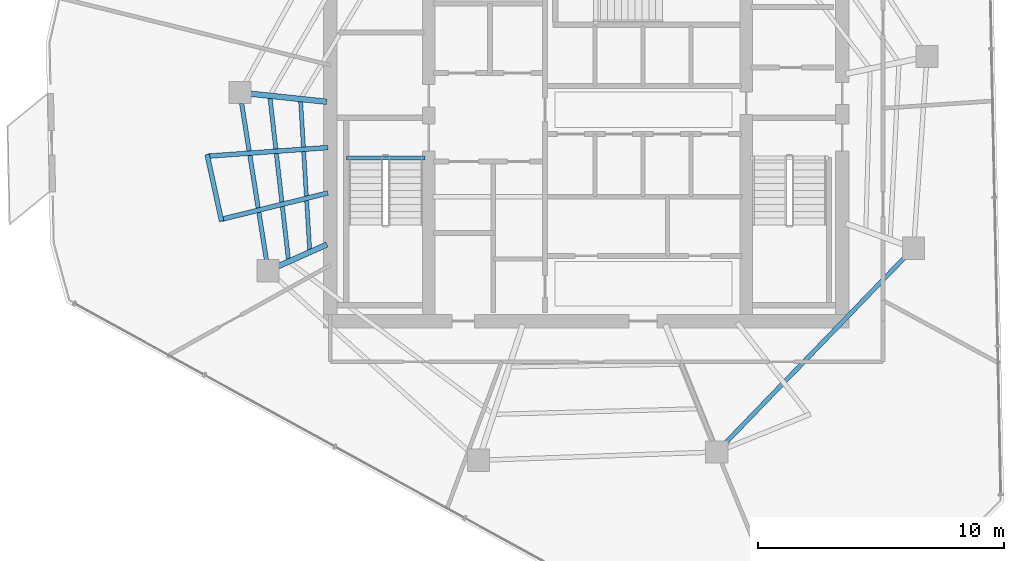
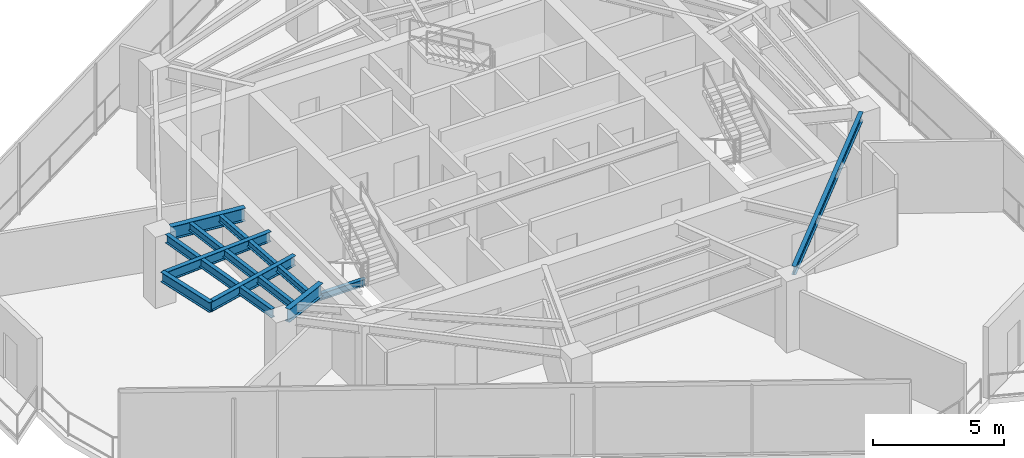
# One storey, part 4 of 19: 10 beams.
"""IFC4 building model written with IfcOpenShell, lengths in metres."""

from ifc_helpers import new_model, si_unit, direction, frame, origin, origin_2d, place, context, subcontext, project, spatial, i_section, extrude, material, material_profile, profile_set, type_object, element, save


model = new_model("IFC4")

# Units and contexts
model_context = context("Model", 3, precision=1e-05, world=origin(), true_north=direction((0.0, 1.0)))
body_context = subcontext(model_context, "Body", "Model", "MODEL_VIEW")
ifc_project = project(units=[si_unit("LENGTHUNIT", "METRE"), si_unit("AREAUNIT", "SQUARE_METRE"), si_unit("VOLUMEUNIT", "CUBIC_METRE"), si_unit("PLANEANGLEUNIT", "RADIAN"), si_unit("MASSUNIT", "GRAM", prefix="KILO")], contexts=[model_context])

# Site, building, storey
site_placement = place(None, origin())
site = spatial("IfcSite", under=ifc_project, at=site_placement, CompositionType="ELEMENT")
building_placement = place(site_placement, origin())
building = spatial("IfcBuilding", under=site, at=building_placement, Name="Qarnah Convention Tower", CompositionType="ELEMENT")
storey_placement = place(building_placement, frame((0.0, 0.0, 184.199951171875)))
storey = spatial("IfcBuildingStorey", under=building, at=storey_placement, Name="L49", CompositionType="ELEMENT", Elevation=184.199951171875)

# Beams
ifc_material = material(Name="Structural steel S355JR", Category="steel")
ifc_material_profile_1 = material_profile(ifc_material, i_section(OverallWidth=0.19189453125, OverallDepth=0.464111328125, WebThickness=0.010986328125, FlangeThickness=0.01806640625, at=origin_2d()), Name="W460X89")
ifc_profile_set_1 = profile_set([ifc_material_profile_1], Name="Structural steel S355JR")
beam_type_1 = type_object("IfcBeamType", Name="BM-CANT-W460A", PredefinedType="BEAM", material=ifc_profile_set_1)
beam_1_placement = place(storey_placement, frame((26.699951171875, 25.64794921875, 3.088134765625), z_axis=(-0.997436151804, -0.071562022574, 0.0), x_axis=(0.071562022574, -0.997436151804, 0.0)))
element("IfcBeam", 1, at=beam_1_placement, inside=storey, type_object=beam_type_1, Name="L49 beam BM-L49-CNT-02-1", PredefinedType="BEAM", context=body_context, shape_type="SweptSolid", body=[
    extrude(i_section(OverallWidth=0.19189453125, OverallDepth=0.464111328125, WebThickness=0.010986328125, FlangeThickness=0.01806640625, at=origin_2d()), origin(), (0.0, 0.0, 1.0), 4.90234375),
])
beam_2_placement = place(storey_placement, frame((26.702880859375, 23.802001953125, 3.088134765625), z_axis=(-0.970718465503, -0.240220025669, 0.0), x_axis=(0.240220025669, -0.970718465503, 0.0)))
element("IfcBeam", 2, at=beam_2_placement, inside=storey, type_object=beam_type_1, Name="L49 beam BM-L49-CNT-02-2", PredefinedType="BEAM", context=body_context, shape_type="SweptSolid", body=[
    extrude(i_section(OverallWidth=0.19189453125, OverallDepth=0.464111328125, WebThickness=0.010986328125, FlangeThickness=0.01806640625, at=origin_2d()), origin(), (0.0, 0.0, 1.0), 4.466796875),
])
beam_3_placement = place(storey_placement, frame((21.794921875, 25.364990234375, 3.088134765625), z_axis=(0.212191546233, -0.977228094002, 0.0), x_axis=(0.977228094002, 0.212191546233, 0.0)))
element("IfcBeam", 3, at=beam_3_placement, inside=storey, type_object=beam_type_1, Name="L49 spandrel BM-L49-CTIE-02", PredefinedType="SPANDREL", context=body_context, shape_type="SweptSolid", body=[
    extrude(i_section(OverallWidth=0.19189453125, OverallDepth=0.464111328125, WebThickness=0.010986328125, FlangeThickness=0.01806640625, at=origin_2d()), origin(), (0.0, 0.0, 1.0), 2.76708984375),
])
ifc_material_profile_2 = material_profile(ifc_material, i_section(OverallWidth=0.166015625, OverallDepth=0.31201171875, WebThickness=0.007080078125, FlangeThickness=0.010986328125, at=origin_2d()), Name="W310X45")
ifc_profile_set_2 = profile_set([ifc_material_profile_2], Name="Structural steel S355JR")
beam_type_2 = type_object("IfcBeamType", Name="BM-JST-W310", PredefinedType="JOIST", material=ifc_profile_set_2)
beam_4_placement = place(storey_placement, frame((27.4599609375, 25.217041015625, -0.156005859375), z_axis=(1.0, 0.0, 0.0), x_axis=(0.0, 1.0, 0.0)))
element("IfcBeam", 4, at=beam_4_placement, inside=storey, type_object=beam_type_2, Name="L49 stair landing trimmer beam BM-L49-ST1-TRM", PredefinedType="BEAM", context=body_context, shape_type="SweptSolid", body=[
    extrude(i_section(OverallWidth=0.166015625, OverallDepth=0.31201171875, WebThickness=0.007080078125, FlangeThickness=0.010986328125, at=origin_2d()), origin(), (0.0, 0.0, 1.0), 3.179931640625),
])
beam_5_placement = place(storey_placement, frame((25.593017578125, 27.530029296875, 3.1640625), z_axis=(0.060791013083, -0.998150516069, 0.0), x_axis=(0.998150516069, 0.060791013083, 0.0)))
element("IfcBeam", 5, at=beam_5_placement, inside=storey, type_object=beam_type_2, Name="L49 joist BM-L49-IJST-05", PredefinedType="JOIST", context=body_context, shape_type="SweptSolid", body=[
    extrude(i_section(OverallWidth=0.166015625, OverallDepth=0.31201171875, WebThickness=0.007080078125, FlangeThickness=0.010986328125, at=origin_2d()), origin(), (0.0, 0.0, 1.0), 6.05224609375),
])
ifc_material_profile_3 = material_profile(ifc_material, i_section(OverallWidth=0.172119140625, OverallDepth=0.35595703125, WebThickness=0.007080078125, FlangeThickness=0.011962890625, at=origin_2d()), Name="W360X51")
ifc_profile_set_3 = profile_set([ifc_material_profile_3], Name="Structural steel S355JR")
beam_type_3 = type_object("IfcBeamType", Name="BM-JST-W360", PredefinedType="JOIST", material=ifc_profile_set_3)
beam_6_placement = place(storey_placement, frame((24.35009765625, 27.6630859375, 3.14208984375), z_axis=(0.113147043355, -0.993578253878, 0.0), x_axis=(0.993578253878, 0.113147043355, 0.0)))
element("IfcBeam", 6, at=beam_6_placement, inside=storey, type_object=beam_type_3, Name="L49 joist BM-L49-SJST-05", PredefinedType="JOIST", context=body_context, shape_type="SweptSolid", body=[
    extrude(i_section(OverallWidth=0.172119140625, OverallDepth=0.35595703125, WebThickness=0.007080078125, FlangeThickness=0.011962890625, at=origin_2d()), origin(), (0.0, 0.0, 1.0), 6.6005859375),
])
ifc_material_profile_4 = material_profile(ifc_material, i_section(OverallWidth=0.22802734375, OverallDepth=0.60791015625, WebThickness=0.010986328125, FlangeThickness=0.01708984375, at=origin_2d()), Name="W610X113")
ifc_profile_set_4 = profile_set([ifc_material_profile_4], Name="Structural steel S355JR")
beam_type_4 = type_object("IfcBeamType", Name="BM-RAD-W610B", PredefinedType="BEAM", material=ifc_profile_set_4)
beam_7_placement = place(storey_placement, frame((26.65087890625, 27.509033203125, 3.01611328125), z_axis=(-0.99453335923, 0.104419334317, 0.0), x_axis=(-0.104419334317, -0.99453335923, 0.0)))
element("IfcBeam", 7, at=beam_7_placement, inside=storey, type_object=beam_type_4, Name="L49 beam BM-L49-RAD-05", PredefinedType="BEAM", context=body_context, shape_type="SweptSolid", body=[
    extrude(i_section(OverallWidth=0.22802734375, OverallDepth=0.60791015625, WebThickness=0.010986328125, FlangeThickness=0.01708984375, at=origin_2d()), origin(), (0.0, 0.0, 1.0), 3.112060546875),
])
beam_8_placement = place(storey_placement, frame((26.6630859375, 21.708984375, 3.01611328125), z_axis=(-0.913585734164, -0.406646168471, 0.0), x_axis=(0.406646168471, -0.913585734164, 0.0)))
element("IfcBeam", 8, at=beam_8_placement, inside=storey, type_object=beam_type_4, Name="L49 beam BM-L49-RAD-06", PredefinedType="BEAM", context=body_context, shape_type="SweptSolid", body=[
    extrude(i_section(OverallWidth=0.22802734375, OverallDepth=0.60791015625, WebThickness=0.010986328125, FlangeThickness=0.01708984375, at=origin_2d()), origin(), (0.0, 0.0, 1.0), 2.18603515625),
])
ifc_material_profile_5 = material_profile(ifc_material, i_section(OverallWidth=0.179931640625, OverallDepth=0.39990234375, WebThickness=0.009033203125, FlangeThickness=0.013916015625, at=origin_2d()), Name="IPE400")
ifc_profile_set_5 = profile_set([ifc_material_profile_5], Name="Structural steel S355JR")
beam_type_5 = type_object("IfcBeamType", Name="BM-SPN-IPE400", PredefinedType="SPANDREL", material=ifc_profile_set_5)
beam_9_placement = place(storey_placement, frame((23.197021484375, 27.444091796875, 3.1201171875), z_axis=(0.156301127146, -0.987709450017, 0.0), x_axis=(0.987709450017, 0.156301127146, 0.0)))
element("IfcBeam", 9, at=beam_9_placement, inside=storey, type_object=beam_type_5, Name="L49 spandrel BM-L49-SPN-05", PredefinedType="SPANDREL", context=body_context, shape_type="SweptSolid", body=[
    extrude(i_section(OverallWidth=0.179931640625, OverallDepth=0.39990234375, WebThickness=0.009033203125, FlangeThickness=0.013916015625, at=origin_2d()), origin(), (0.0, 0.0, 1.0), 6.443115234375),
])
beam_10_placement = place(storey_placement, frame((42.806884765625, 13.596923828125, 3.1201171875), z_axis=(0.694676898282, 0.719321907767, 0.0), x_axis=(-0.719321907767, 0.694676898282, 0.0)))
element("IfcBeam", 10, at=beam_10_placement, inside=storey, type_object=beam_type_5, Name="L49 spandrel BM-L49-SPN-08", PredefinedType="SPANDREL", context=body_context, shape_type="SweptSolid", body=[
    extrude(i_section(OverallWidth=0.179931640625, OverallDepth=0.39990234375, WebThickness=0.009033203125, FlangeThickness=0.013916015625, at=origin_2d()), origin(), (0.0, 0.0, 1.0), 10.62939453125),
])

save(model, "model.ifc")
